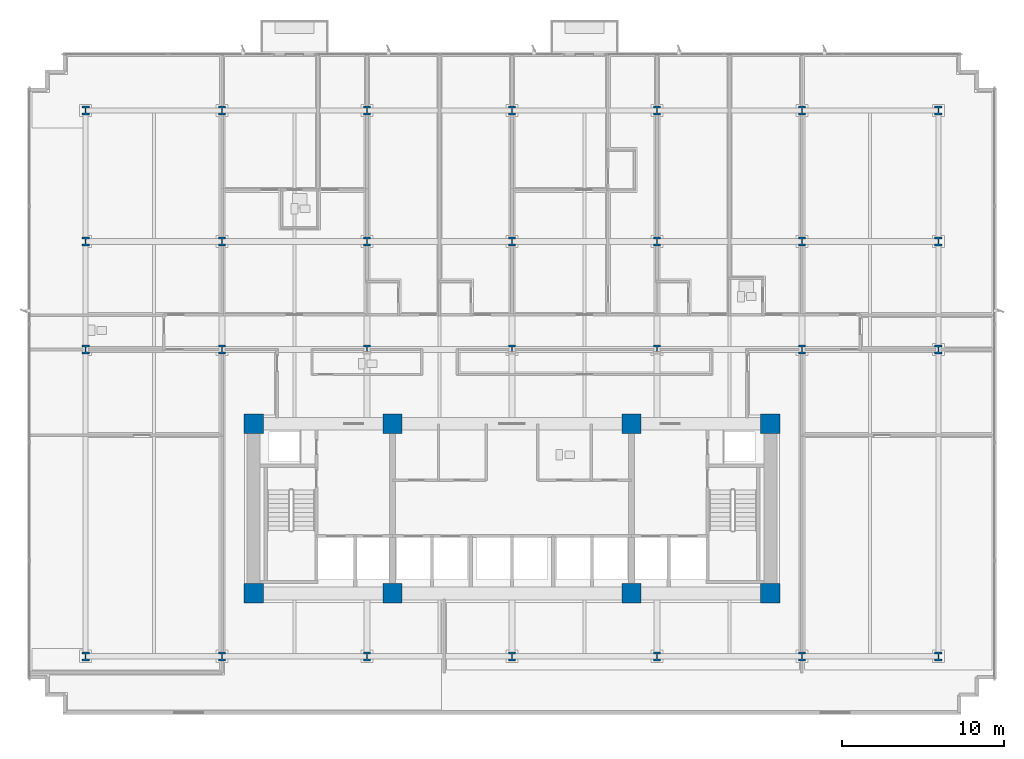
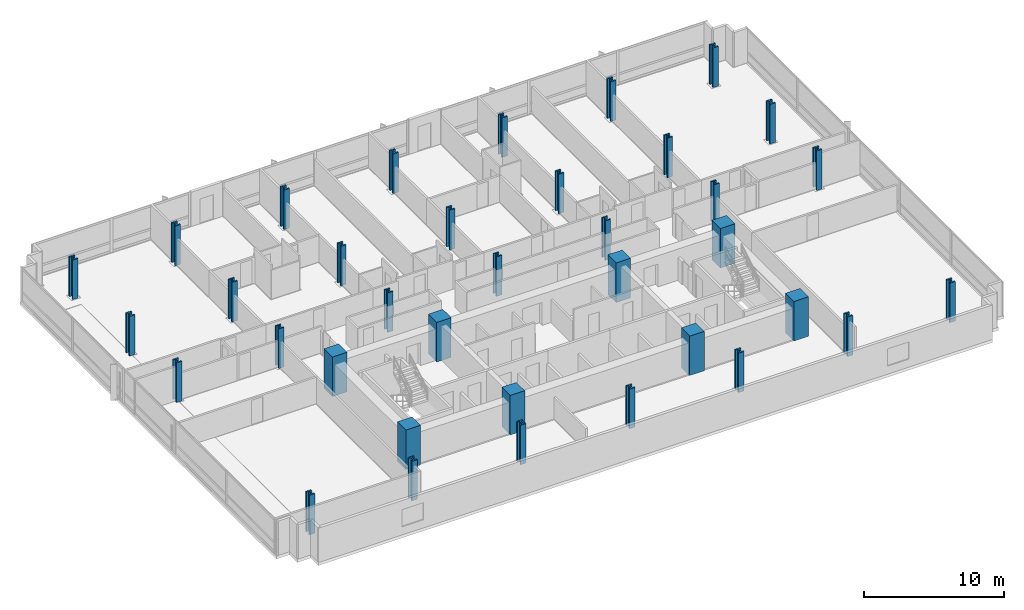
# One storey, part 1 of 15: 36 columns.
"""IFC4 building model written with IfcOpenShell, lengths in metres."""

from ifc_helpers import new_model, si_unit, direction, frame, origin, origin_2d, place, context, subcontext, project, spatial, rectangle, i_section, extrude, material, material_profile, profile_set, type_object, element, save


model = new_model("IFC4")

# Units and contexts
model_context = context("Model", 3, precision=1e-05, world=origin(), true_north=direction((0.0, 1.0)))
body_context = subcontext(model_context, "Body", "Model", "MODEL_VIEW")
ifc_project = project(units=[si_unit("LENGTHUNIT", "METRE"), si_unit("AREAUNIT", "SQUARE_METRE"), si_unit("VOLUMEUNIT", "CUBIC_METRE"), si_unit("PLANEANGLEUNIT", "RADIAN"), si_unit("MASSUNIT", "GRAM", prefix="KILO")], contexts=[model_context])

# Site, building, storey
site_placement = place(None, origin())
site = spatial("IfcSite", under=ifc_project, at=site_placement, CompositionType="ELEMENT")
building_placement = place(site_placement, origin())
building = spatial("IfcBuilding", under=site, at=building_placement, Name="Solmavex Isthmus Hotel", CompositionType="ELEMENT")
storey_placement = place(building_placement, frame((0.0, 0.0, 71.25)))
storey = spatial("IfcBuildingStorey", under=building, at=storey_placement, Name="L19", CompositionType="ELEMENT", Elevation=71.25)

# Columns
ifc_material_1 = material(Name="Concrete C70/85", Category="concrete")
ifc_material_profile_1 = material_profile(ifc_material_1, rectangle(XDim=1.199951171875, YDim=1.199951171875, at=origin_2d()), Name="RC1200X1200")
ifc_profile_set_1 = profile_set([ifc_material_profile_1], Name="Concrete C70/85")
column_type_1 = type_object("IfcColumnType", Name="COL-CC-1200", PredefinedType="COLUMN", material=ifc_profile_set_1)
for number, where, z_axis, x_axis, name in (
    (1, (-16.0, -13.0, 0.0), (0.0, 0.0, 1.0), (1.0, 0.0, 0.0), "Core Pilaster CC-SW L19"),
    (2, (-7.39990234375, -13.0, 0.0), (0.0, 0.0, 1.0), (1.0, 0.0, 0.0), "Core Pilaster CC-S1 L19"),
    (3, (7.39990234375, -13.0, 0.0), (0.0, 0.0, 1.0), (1.0, 0.0, 0.0), "Core Pilaster CC-S2 L19"),
    (4, (16.0, -13.0, 0.0), (0.0, 0.0, 1.0), (1.0, 0.0, 0.0), "Core Pilaster CC-SE L19"),
    (5, (-16.0, -2.5, 0.0), (0.0, 0.0, 1.0), (1.0, 0.0, 0.0), "Core Pilaster CC-NW L19"),
    (6, (-7.39990234375, -2.5, 0.0), (0.0, 0.0, 1.0), (1.0, 0.0, 0.0), "Core Pilaster CC-N1 L19"),
    (7, (7.39990234375, -2.5, 0.0), (0.0, 0.0, 1.0), (1.0, 0.0, 0.0), "Core Pilaster CC-N2 L19"),
    (8, (16.0, -2.5, 0.0), (0.0, 0.0, 1.0), (1.0, 0.0, 0.0), "Core Pilaster CC-NE L19"),
):
    element("IfcColumn", number, at=place(storey_placement, frame(where, z_axis=z_axis, x_axis=x_axis)), inside=storey, type_object=column_type_1, Name=name, PredefinedType="COLUMN", context=body_context, shape_type="SweptSolid", body=[
        extrude(rectangle(XDim=1.199951171875, YDim=1.199951171875, at=origin_2d()), origin(), (0.0, 0.0, 1.0), 3.449951171875),
    ])
ifc_material_2 = material(Name="Steel ASTM A913 Grade 65", Category="steel")
ifc_material_profile_2 = material_profile(ifc_material_2, i_section(OverallWidth=0.442138671875, OverallDepth=0.531494140625, WebThickness=0.06591796875, FlangeThickness=0.105712890625, FilletRadius=0.030517578125, at=origin_2d()), Name="W14X605")
ifc_profile_set_2 = profile_set([ifc_material_profile_2], Name="Steel ASTM A913 Grade 65")
column_type_2 = type_object("IfcColumnType", Name="COL-SC-W14X605", PredefinedType="COLUMN", material=ifc_profile_set_2)
for number, where, z_axis, x_axis, name in (
    (9, (-17.951904296875, 2.10009765625, 0.0), (0.0, 0.0, 1.0), (1.0, 0.0, 0.0), "Tower Column B1-U2V2 L19"),
    (10, (-17.951904296875, 8.7880859375, 0.0), (0.0, 0.0, 1.0), (1.0, 0.0, 0.0), "Tower Column B1-U2V3 L19"),
    (11, (-8.97607421875, 2.10009765625, 0.0), (0.0, 0.0, 1.0), (1.0, 0.0, 0.0), "Tower Column B1-U3V2 L19"),
    (12, (-8.97607421875, 8.7880859375, 0.0), (0.0, 0.0, 1.0), (1.0, 0.0, 0.0), "Tower Column B1-U3V3 L19"),
    (13, (0.0, 2.10009765625, 0.0), (0.0, 0.0, 1.0), (1.0, 0.0, 0.0), "Tower Column B1-U4V2 L19"),
    (14, (0.0, 8.7880859375, 0.0), (0.0, 0.0, 1.0), (1.0, 0.0, 0.0), "Tower Column B1-U4V3 L19"),
    (15, (8.97607421875, 2.10009765625, 0.0), (0.0, 0.0, 1.0), (1.0, 0.0, 0.0), "Tower Column B1-U5V2 L19"),
    (16, (8.97607421875, 8.7880859375, 0.0), (0.0, 0.0, 1.0), (1.0, 0.0, 0.0), "Tower Column B1-U5V3 L19"),
    (17, (17.951904296875, 2.10009765625, 0.0), (0.0, 0.0, 1.0), (1.0, 0.0, 0.0), "Tower Column B1-U6V2 L19"),
    (18, (17.951904296875, 8.7880859375, 0.0), (0.0, 0.0, 1.0), (1.0, 0.0, 0.0), "Tower Column B1-U6V3 L19"),
):
    element("IfcColumn", number, at=place(storey_placement, frame(where, z_axis=z_axis, x_axis=x_axis)), inside=storey, type_object=column_type_2, Name=name, PredefinedType="COLUMN", context=body_context, shape_type="SweptSolid", body=[
        extrude(i_section(OverallWidth=0.442138671875, OverallDepth=0.531494140625, WebThickness=0.06591796875, FlangeThickness=0.105712890625, FilletRadius=0.030517578125, at=origin_2d()), origin(), (0.0, 0.0, 1.0), 3.449951171875),
    ])
ifc_material_profile_3 = material_profile(ifc_material_2, i_section(OverallWidth=0.454345703125, OverallDepth=0.569091796875, WebThickness=0.077880859375, FlangeThickness=0.124755859375, FilletRadius=0.030517578125, at=origin_2d()), Name="W14X730")
ifc_profile_set_3 = profile_set([ifc_material_profile_3], Name="Steel ASTM A913 Grade 65")
column_type_3 = type_object("IfcColumnType", Name="COL-SC-W14X730", PredefinedType="COLUMN", material=ifc_profile_set_3)
for number, where, z_axis, x_axis, name in (
    (19, (-26.39990234375, -16.89990234375, 0.0), (0.0, 0.0, 1.0), (1.0, 0.0, 0.0), "Tower Column B1-U1V1 L19"),
    (20, (-26.39990234375, 2.10009765625, 0.0), (0.0, 0.0, 1.0), (1.0, 0.0, 0.0), "Tower Column B1-U1V2 L19"),
    (21, (-26.39990234375, 8.7880859375, 0.0), (0.0, 0.0, 1.0), (1.0, 0.0, 0.0), "Tower Column B1-U1V3 L19"),
    (22, (-26.39990234375, 16.89990234375, 0.0), (0.0, 0.0, 1.0), (1.0, 0.0, 0.0), "Tower Column B1-U1V4 L19"),
    (23, (-17.951904296875, -16.89990234375, 0.0), (0.0, 0.0, 1.0), (1.0, 0.0, 0.0), "Tower Column B1-U2V1 L19"),
    (24, (-17.951904296875, 16.89990234375, 0.0), (0.0, 0.0, 1.0), (1.0, 0.0, 0.0), "Tower Column B1-U2V4 L19"),
    (25, (-8.97607421875, -16.89990234375, 0.0), (0.0, 0.0, 1.0), (1.0, 0.0, 0.0), "Tower Column B1-U3V1 L19"),
    (26, (-8.97607421875, 16.89990234375, 0.0), (0.0, 0.0, 1.0), (1.0, 0.0, 0.0), "Tower Column B1-U3V4 L19"),
    (27, (0.0, -16.89990234375, 0.0), (0.0, 0.0, 1.0), (1.0, 0.0, 0.0), "Tower Column B1-U4V1 L19"),
    (28, (0.0, 16.89990234375, 0.0), (0.0, 0.0, 1.0), (1.0, 0.0, 0.0), "Tower Column B1-U4V4 L19"),
    (29, (8.97607421875, -16.89990234375, 0.0), (0.0, 0.0, 1.0), (1.0, 0.0, 0.0), "Tower Column B1-U5V1 L19"),
    (30, (8.97607421875, 16.89990234375, 0.0), (0.0, 0.0, 1.0), (1.0, 0.0, 0.0), "Tower Column B1-U5V4 L19"),
    (31, (17.951904296875, -16.89990234375, 0.0), (0.0, 0.0, 1.0), (1.0, 0.0, 0.0), "Tower Column B1-U6V1 L19"),
    (32, (17.951904296875, 16.89990234375, 0.0), (0.0, 0.0, 1.0), (1.0, 0.0, 0.0), "Tower Column B1-U6V4 L19"),
    (33, (26.39990234375, -16.89990234375, 0.0), (0.0, 0.0, 1.0), (1.0, 0.0, 0.0), "Tower Column B1-U7V1 L19"),
    (34, (26.39990234375, 2.10009765625, 0.0), (0.0, 0.0, 1.0), (1.0, 0.0, 0.0), "Tower Column B1-U7V2 L19"),
    (35, (26.39990234375, 8.7880859375, 0.0), (0.0, 0.0, 1.0), (1.0, 0.0, 0.0), "Tower Column B1-U7V3 L19"),
    (36, (26.39990234375, 16.89990234375, 0.0), (0.0, 0.0, 1.0), (1.0, 0.0, 0.0), "Tower Column B1-U7V4 L19"),
):
    element("IfcColumn", number, at=place(storey_placement, frame(where, z_axis=z_axis, x_axis=x_axis)), inside=storey, type_object=column_type_3, Name=name, PredefinedType="COLUMN", context=body_context, shape_type="SweptSolid", body=[
        extrude(i_section(OverallWidth=0.454345703125, OverallDepth=0.569091796875, WebThickness=0.077880859375, FlangeThickness=0.124755859375, FilletRadius=0.030517578125, at=origin_2d()), origin(), (0.0, 0.0, 1.0), 3.449951171875),
    ])

save(model, "model.ifc")
